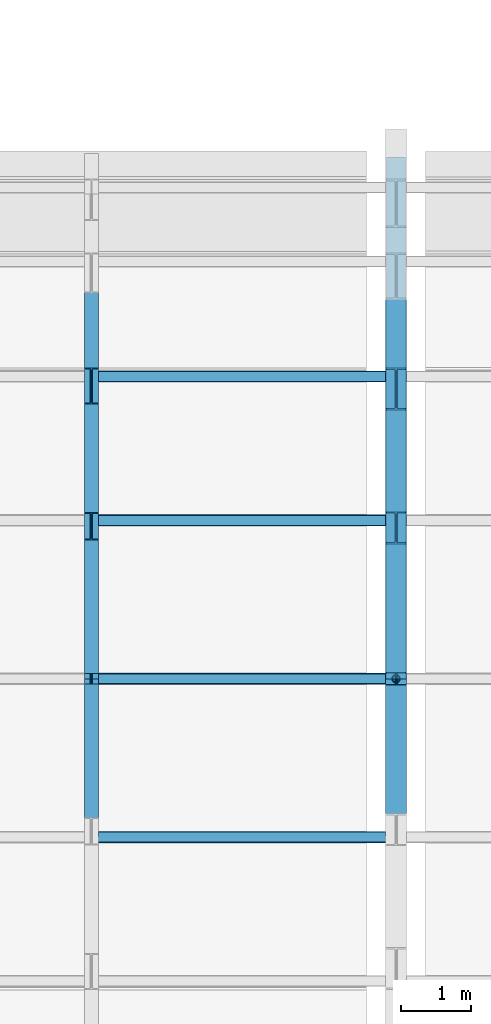
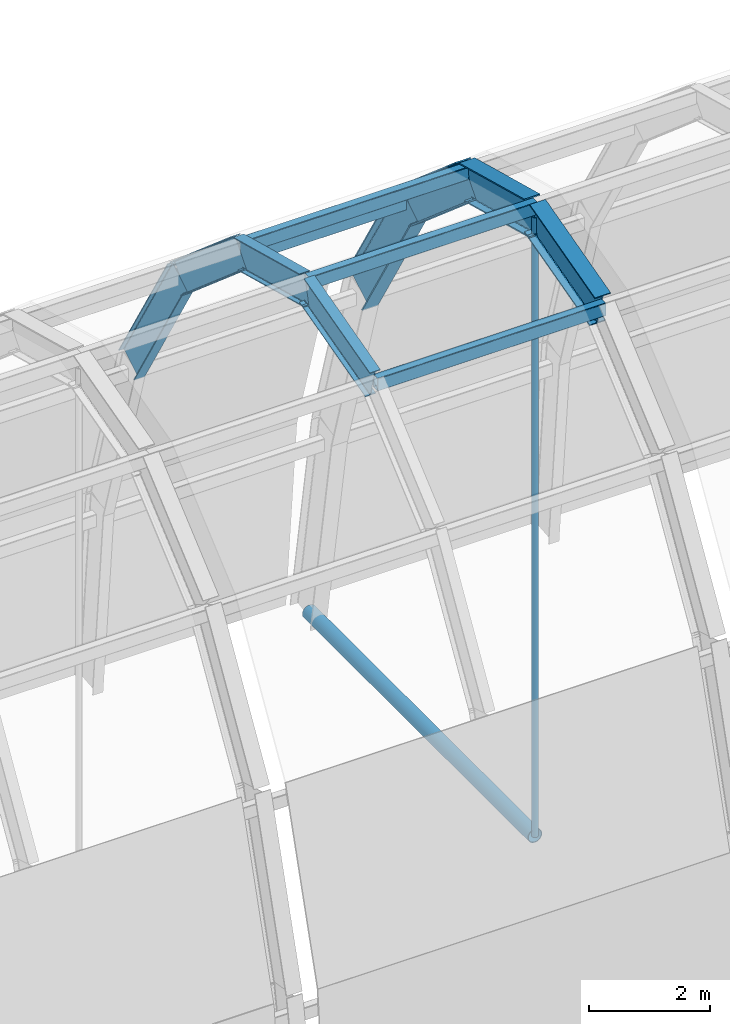
# One storey, part 7 of 13: 8 beams, 6 members.
"""IFC4 building model written with IfcOpenShell, lengths in metres."""

from ifc_helpers import new_model, si_unit, derived_unit, direction, frame, origin, origin_2d, place, context, subcontext, project, spatial, hollow_rectangle, hollow_circle, i_section, extrude, material, material_profile, profile_set, type_object, element, save


model = new_model("IFC4")

# Units and contexts
model_context = context("Model", 3, precision=1e-05, world=origin(), true_north=direction((0.0, 1.0)))
body_context = subcontext(model_context, "Body", "Model", "MODEL_VIEW")
ifc_project = project(units=[si_unit("LENGTHUNIT", "METRE"), si_unit("AREAUNIT", "SQUARE_METRE"), si_unit("VOLUMEUNIT", "CUBIC_METRE"), si_unit("PLANEANGLEUNIT", "RADIAN"), si_unit("MASSUNIT", "GRAM", prefix="KILO"), derived_unit("THERMALTRANSMITTANCEUNIT", [(si_unit("MASSUNIT", "GRAM", prefix="KILO"), 1), (si_unit("TIMEUNIT", "SECOND"), -3), (si_unit("THERMODYNAMICTEMPERATUREUNIT", "KELVIN"), -1)])], contexts=[model_context])

# Site, building, storey
site_placement = place(None, origin())
site = spatial("IfcSite", under=ifc_project, at=site_placement, CompositionType="ELEMENT")
building_placement = place(site_placement, origin())
building = spatial("IfcBuilding", under=site, at=building_placement, Name="Qinzheling Arcade Emporium", CompositionType="ELEMENT")
storey_placement = place(building_placement, frame((0.0, 0.0, 41.10009765625)))
storey = spatial("IfcBuildingStorey", under=building, at=storey_placement, Name="RF", CompositionType="ELEMENT", Elevation=41.10009765625)

# Beams
ifc_material = material(Name="Weathering steel Q355NH", Category="steel")
ifc_material_profile_1 = material_profile(ifc_material, i_section(OverallWidth=0.199951171875, OverallDepth=0.60009765625, WebThickness=0.010986328125, FlangeThickness=0.01708984375, FilletRadius=0.02001953125, at=origin_2d()), Name="HN 600x200x11x17", Category="steel")
ifc_profile_set_1 = profile_set([ifc_material_profile_1], Name="Weathering steel Q355NH")
beam_type_1 = type_object("IfcBeamType", Name="Atrium End Arch Rib HN600 Q355NH", PredefinedType="BEAM", material=ifc_profile_set_1)
beam_1_placement = place(storey_placement, frame((73.949951171875, 55.720947265625, 6.9189453125), z_axis=(0.0, 0.966019024802, 0.258470972686), x_axis=(-1.0, 0.0, 0.0)))
element("IfcBeam", 1, at=beam_1_placement, inside=storey, type_object=beam_type_1, Name="Atrium Sub-Rib VLT-ATRIUM-SRIB-B05-S05", PredefinedType="BEAM", context=body_context, shape_type="SweptSolid", body=[
    extrude(i_section(OverallWidth=0.199951171875, OverallDepth=0.60009765625, WebThickness=0.010986328125, FlangeThickness=0.01708984375, FilletRadius=0.02001953125, at=origin_2d()), origin(), (0.0, 0.0, 1.0), 2.255615234375),
])
beam_2_placement = place(storey_placement, frame((73.949951171875, 57.89990234375, 7.501953125), z_axis=(0.0, 0.966026254712, -0.258443949838), x_axis=(-1.0, 0.0, 0.0)))
element("IfcBeam", 2, at=beam_2_placement, inside=storey, type_object=beam_type_1, Name="Atrium Sub-Rib VLT-ATRIUM-SRIB-B05-S06", PredefinedType="BEAM", context=body_context, shape_type="SweptSolid", body=[
    extrude(i_section(OverallWidth=0.199951171875, OverallDepth=0.60009765625, WebThickness=0.010986328125, FlangeThickness=0.01708984375, FilletRadius=0.02001953125, at=origin_2d()), origin(), (0.0, 0.0, 1.0), 2.255859375),
])
beam_3_placement = place(storey_placement, frame((73.949951171875, 60.0791015625, 6.9189453125), z_axis=(0.0, 0.758897005565, -0.651210668636), x_axis=(-1.0, 0.0, 0.0)))
element("IfcBeam", 3, at=beam_3_placement, inside=storey, type_object=beam_type_1, Name="Atrium Sub-Rib VLT-ATRIUM-SRIB-B05-S07", PredefinedType="BEAM", context=body_context, shape_type="SweptSolid", body=[
    extrude(i_section(OverallWidth=0.199951171875, OverallDepth=0.60009765625, WebThickness=0.010986328125, FlangeThickness=0.01708984375, FilletRadius=0.02001953125, at=origin_2d()), origin(), (0.0, 0.0, 1.0), 2.63671875),
])
beam_4_placement = place(storey_placement, frame((73.949951171875, 62.080078125, 5.201904296875), z_axis=(0.0, 0.511083106472, -0.859531301512), x_axis=(-1.0, 0.0, 0.0)))
element("IfcBeam", 4, at=beam_4_placement, inside=storey, type_object=beam_type_1, Name="Atrium Sub-Rib VLT-ATRIUM-SRIB-B05-S08", PredefinedType="BEAM", context=body_context, shape_type="SweptSolid", body=[
    extrude(i_section(OverallWidth=0.199951171875, OverallDepth=0.60009765625, WebThickness=0.010986328125, FlangeThickness=0.01708984375, FilletRadius=0.02001953125, at=origin_2d()), origin(), (0.0, 0.0, 1.0), 3.159912109375),
])

# Members
ifc_material_profile_2 = material_profile(ifc_material, hollow_rectangle(XDim=0.159912109375, YDim=0.260009765625, WallThickness=0.010009765625, InnerFilletRadius=0.010009765625, OuterFilletRadius=0.02001953125, at=origin_2d()), Name="RHS 260x160x10", Category="steel")
ifc_profile_set_2 = profile_set([ifc_material_profile_2], Name="Weathering steel Q355NH")
member_type_1 = type_object("IfcMemberType", Name="Atrium Skylight Purlin RHS260 Q355NH", PredefinedType="PURLIN", material=ifc_profile_set_2)
for number, where, z_axis, x_axis, name in (
    (5, (73.949951171875, 55.635986328125, 6.98095703125), (1.0, 0.0, 0.0), (0.0, 1.0, 0.0), "Atrium Skylight Purlin VLT-ATRIUM-PUR-B05-N04-2"),
    (6, (73.949951171875, 57.89990234375, 7.64599609375), (1.0, 0.0, 0.0), (0.0, 1.0, 0.0), "Atrium Skylight Purlin VLT-ATRIUM-PUR-B05-N05-2"),
    (7, (73.949951171875, 60.1640625, 6.98095703125), (1.0, 0.0, 0.0), (0.0, 1.0, 0.0), "Atrium Skylight Purlin VLT-ATRIUM-PUR-B05-N06-2"),
    (8, (73.949951171875, 62.217041015625, 5.1240234375), (1.0, 0.0, 0.0), (0.0, 1.0, 0.0), "Atrium Skylight Purlin VLT-ATRIUM-PUR-B05-N07-2"),
):
    element("IfcMember", number, at=place(storey_placement, frame(where, z_axis=z_axis, x_axis=x_axis)), inside=storey, type_object=member_type_1, Name=name, PredefinedType="PURLIN", context=body_context, shape_type="SweptSolid", body=[
        extrude(hollow_rectangle(XDim=0.159912109375, YDim=0.260009765625, WallThickness=0.010009765625, InnerFilletRadius=0.010009765625, OuterFilletRadius=0.02001953125, at=origin_2d()), origin(), (0.0, 0.0, 1.0), 4.35009765625),
    ])

# Beams
ifc_material_profile_3 = material_profile(ifc_material, i_section(OverallWidth=0.300048828125, OverallDepth=0.699951171875, WebThickness=0.012939453125, FlangeThickness=0.02392578125, FilletRadius=0.02392578125, at=origin_2d()), Name="HN 700x300x13x24", Category="steel")
ifc_profile_set_3 = profile_set([ifc_material_profile_3], Name="Weathering steel Q355NH")
beam_type_2 = type_object("IfcBeamType", Name="Atrium Vault Arch Rib HN700 Q355NH", PredefinedType="BEAM", material=ifc_profile_set_3)
beam_5_placement = place(storey_placement, frame((78.300048828125, 55.7451171875, 6.872802734375), z_axis=(0.0, 0.965950982099, 0.258725144084), x_axis=(-1.0, 0.0, 0.0)))
element("IfcBeam", 9, at=beam_5_placement, inside=storey, type_object=beam_type_2, Name="Atrium Arch Rib VLT-ATRIUM-RIB-06-S05", PredefinedType="BEAM", context=body_context, shape_type="SweptSolid", body=[
    extrude(i_section(OverallWidth=0.300048828125, OverallDepth=0.699951171875, WebThickness=0.012939453125, FlangeThickness=0.02392578125, FilletRadius=0.02392578125, at=origin_2d()), origin(), (0.0, 0.0, 1.0), 2.230712890625),
])
beam_6_placement = place(storey_placement, frame((78.300048828125, 57.89990234375, 7.449951171875), z_axis=(0.0, 0.965958306964, -0.258697795136), x_axis=(-1.0, 0.0, 0.0)))
element("IfcBeam", 10, at=beam_6_placement, inside=storey, type_object=beam_type_2, Name="Atrium Arch Rib VLT-ATRIUM-RIB-06-S06", PredefinedType="BEAM", context=body_context, shape_type="SweptSolid", body=[
    extrude(i_section(OverallWidth=0.300048828125, OverallDepth=0.699951171875, WebThickness=0.012939453125, FlangeThickness=0.02392578125, FilletRadius=0.02392578125, at=origin_2d()), origin(), (0.0, 0.0, 1.0), 2.23095703125),
])
beam_7_placement = place(storey_placement, frame((78.300048828125, 60.054931640625, 6.872802734375), z_axis=(0.0, 0.758815061516, -0.651306151066), x_axis=(-1.0, 0.0, 0.0)))
element("IfcBeam", 11, at=beam_7_placement, inside=storey, type_object=beam_type_2, Name="Atrium Arch Rib VLT-ATRIUM-RIB-06-S07", PredefinedType="BEAM", context=body_context, shape_type="SweptSolid", body=[
    extrude(i_section(OverallWidth=0.300048828125, OverallDepth=0.699951171875, WebThickness=0.012939453125, FlangeThickness=0.02392578125, FilletRadius=0.02392578125, at=origin_2d()), origin(), (0.0, 0.0, 1.0), 2.615966796875),
])
beam_8_placement = place(storey_placement, frame((78.300048828125, 62.0400390625, 5.1689453125), z_axis=(0.0, 0.511090888191, -0.859526674401), x_axis=(-1.0, 0.0, 0.0)))
element("IfcBeam", 12, at=beam_8_placement, inside=storey, type_object=beam_type_2, Name="Atrium Arch Rib VLT-ATRIUM-RIB-06-S08", PredefinedType="BEAM", context=body_context, shape_type="SweptSolid", body=[
    extrude(i_section(OverallWidth=0.300048828125, OverallDepth=0.699951171875, WebThickness=0.012939453125, FlangeThickness=0.02392578125, FilletRadius=0.02392578125, at=origin_2d()), origin(), (0.0, 0.0, 1.0), 3.14599609375),
])

# Members
ifc_material_profile_4 = material_profile(ifc_material, hollow_circle(Radius=0.056884765625, WallThickness=0.008056640625, at=origin_2d()), Name="CHS 114x8", Category="steel")
ifc_profile_set_4 = profile_set([ifc_material_profile_4], Name="Weathering steel Q355NH")
member_type_2 = type_object("IfcMemberType", Name="Vault King-Post Hanger CHS114 Q355NH", PredefinedType="BRACE", material=ifc_profile_set_4)
member_1_placement = place(storey_placement, frame((78.300048828125, 57.89990234375, -5.050048828125), z_axis=(0.0, 0.0, 1.0), x_axis=(1.0, 0.0, 0.0)))
element("IfcMember", 13, at=member_1_placement, inside=storey, type_object=member_type_2, Name="Atrium Crown Hanger VLT-ATRIUM-HNG-06", PredefinedType="BRACE", context=body_context, shape_type="SweptSolid", body=[
    extrude(hollow_circle(Radius=0.056884765625, WallThickness=0.008056640625, at=origin_2d()), origin(), (0.0, 0.0, 1.0), 12.5),
])
ifc_material_profile_5 = material_profile(ifc_material, hollow_circle(Radius=0.136474609375, WallThickness=0.011962890625, at=origin_2d()), Name="CHS 273x12", Category="steel")
ifc_profile_set_5 = profile_set([ifc_material_profile_5], Name="Weathering steel Q355NH")
member_type_3 = type_object("IfcMemberType", Name="Vault Thrust Tie Chord CHS273 Q355NH", PredefinedType="CHORD", material=ifc_profile_set_5)
member_2_placement = place(storey_placement, frame((78.300048828125, 57.89990234375, -5.050048828125), z_axis=(0.0, 1.0, 0.0), x_axis=(-1.0, 0.0, 0.0)))
element("IfcMember", 14, at=member_2_placement, inside=storey, type_object=member_type_3, Name="Atrium Thrust Tie VLT-ATRIUM-TIE-06-2", PredefinedType="CHORD", context=body_context, shape_type="SweptSolid", body=[
    extrude(hollow_circle(Radius=0.136474609375, WallThickness=0.011962890625, at=origin_2d()), origin(), (0.0, 0.0, 1.0), 7.4501953125),
])

save(model, "model.ifc")
